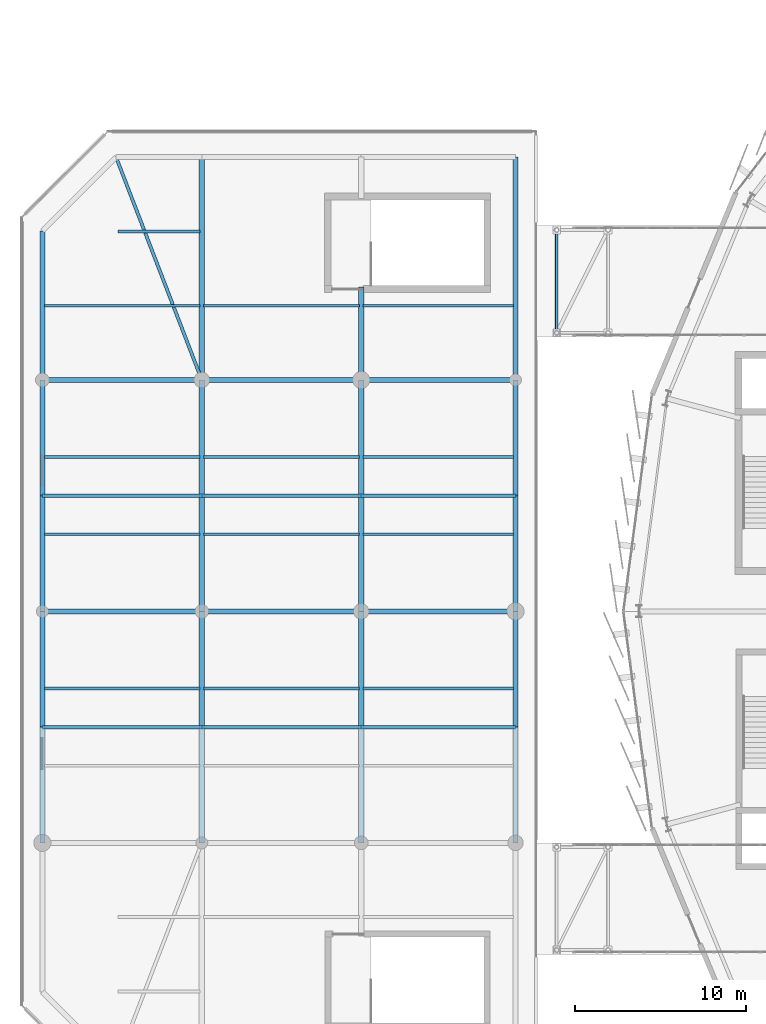
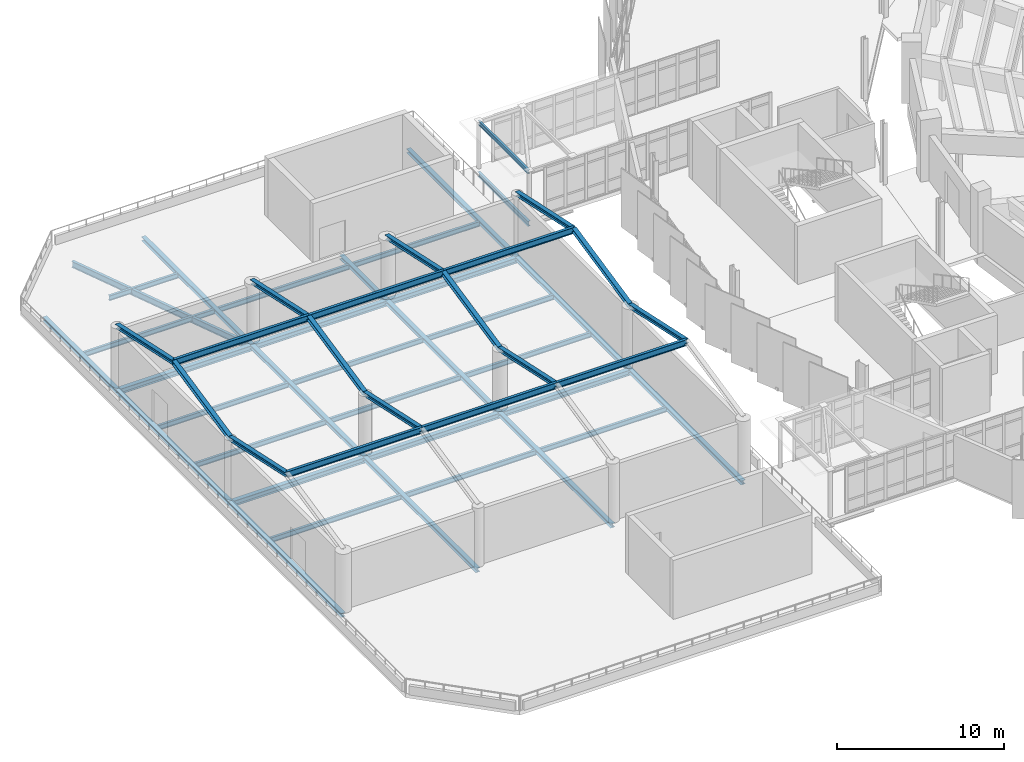
# One storey, part 40 of 120: 52 beams.
"""IFC4 building model written with IfcOpenShell, lengths in metres."""

from ifc_helpers import new_model, si_unit, direction, frame, origin, origin_2d, place, context, subcontext, project, spatial, i_section, extrude, material, material_profile, profile_set, type_object, element, save


model = new_model("IFC4")

# Units and contexts
model_context = context("Model", 3, precision=1e-05, world=origin(), true_north=direction((0.0, 1.0)))
body_context = subcontext(model_context, "Body", "Model", "MODEL_VIEW")
ifc_project = project(units=[si_unit("LENGTHUNIT", "METRE"), si_unit("AREAUNIT", "SQUARE_METRE"), si_unit("VOLUMEUNIT", "CUBIC_METRE"), si_unit("PLANEANGLEUNIT", "RADIAN"), si_unit("MASSUNIT", "GRAM", prefix="KILO")], contexts=[model_context])

# Site, building, storey
site_placement = place(None, origin())
site = spatial("IfcSite", under=ifc_project, at=site_placement, CompositionType="ELEMENT")
building_placement = place(site_placement, origin())
building = spatial("IfcBuilding", under=site, at=building_placement, Name="Sohan Crest Arena", CompositionType="ELEMENT")
storey_placement = place(building_placement, frame((0.0, 0.0, 13.5)))
storey = spatial("IfcBuildingStorey", under=building, at=storey_placement, Name="L03", CompositionType="ELEMENT", Elevation=13.5)

# Beams
ifc_material = material(Name="Steel S355", Category="steel")
ifc_material_profile_1 = material_profile(ifc_material, i_section(OverallWidth=0.14990234375, OverallDepth=0.300048828125, WebThickness=0.007080078125, FlangeThickness=0.0107421875, at=origin_2d()), Name="IPE 300")
ifc_profile_set_1 = profile_set([ifc_material_profile_1], Name="Steel S355")
beam_type_1 = type_object("IfcBeamType", Name="STR-BM-B01", PredefinedType="JOIST", material=ifc_profile_set_1)
beam_1_placement = place(storey_placement, frame((45.199951171875, 94.25, 3.324951171875), z_axis=(0.0, 1.0, 0.0), x_axis=(-1.0, 0.0, 0.0)))
element("IfcBeam", 1, at=beam_1_placement, inside=storey, type_object=beam_type_1, Name="Structural beam BRG-L03-2958", PredefinedType="JOIST", context=body_context, shape_type="SweptSolid", body=[
    extrude(i_section(OverallWidth=0.14990234375, OverallDepth=0.300048828125, WebThickness=0.007080078125, FlangeThickness=0.0107421875, at=origin_2d()), origin(), (0.0, 0.0, 1.0), 6.0),
])
ifc_material_profile_2 = material_profile(ifc_material, i_section(OverallWidth=0.169921875, OverallDepth=0.360107421875, WebThickness=0.008056640625, FlangeThickness=0.0126953125, at=origin_2d()), Name="IPE 360")
ifc_profile_set_2 = profile_set([ifc_material_profile_2], Name="Steel S355")
beam_type_2 = type_object("IfcBeamType", Name="STR-BM-B02", PredefinedType="JOIST", material=ifc_profile_set_2)
for number, where, z_axis, x_axis, name in (
    (2, (15.31005859375, 73.5, -0.4951171875), (1.0, 0.0, 0.0), (0.0, 1.0, 0.0), "Structural beam J-L03-2116"),
    (3, (24.610107421875, 73.5, -0.4951171875), (1.0, 0.0, 0.0), (0.0, 1.0, 0.0), "Structural beam J-L03-2119"),
):
    element("IfcBeam", number, at=place(storey_placement, frame(where, z_axis=z_axis, x_axis=x_axis)), inside=storey, type_object=beam_type_2, Name=name, PredefinedType="JOIST", context=body_context, shape_type="SweptSolid", body=[
        extrude(i_section(OverallWidth=0.169921875, OverallDepth=0.360107421875, WebThickness=0.008056640625, FlangeThickness=0.0126953125, at=origin_2d()), origin(), (0.0, 0.0, 1.0), 9.079833984375),
    ])
beam_2_placement = place(storey_placement, frame((33.909912109375, 73.5, -0.4951171875), z_axis=(1.0, 0.0, 0.0), x_axis=(0.0, 1.0, 0.0)))
element("IfcBeam", 4, at=beam_2_placement, inside=storey, type_object=beam_type_2, Name="Structural beam J-L03-2122", PredefinedType="JOIST", context=body_context, shape_type="SweptSolid", body=[
    extrude(i_section(OverallWidth=0.169921875, OverallDepth=0.360107421875, WebThickness=0.008056640625, FlangeThickness=0.0126953125, at=origin_2d()), origin(), (0.0, 0.0, 1.0), 8.780029296875),
])
for number, where, z_axis, x_axis, name in (
    (5, (15.31005859375, 82.5, -0.4951171875), (1.0, 0.0, 0.0), (0.0, 1.0, 0.0), "Structural beam J-L03-2124"),
    (6, (15.31005859375, 87.0, -0.4951171875), (1.0, 0.0, 0.0), (0.0, 1.0, 0.0), "Structural beam J-L03-2125"),
    (7, (24.610107421875, 82.5, -0.4951171875), (1.0, 0.0, 0.0), (0.0, 1.0, 0.0), "Structural beam J-L03-2127"),
    (8, (24.610107421875, 87.0, -0.4951171875), (1.0, 0.0, 0.0), (0.0, 1.0, 0.0), "Structural beam J-L03-2128"),
):
    element("IfcBeam", number, at=place(storey_placement, frame(where, z_axis=z_axis, x_axis=x_axis)), inside=storey, type_object=beam_type_2, Name=name, PredefinedType="JOIST", context=body_context, shape_type="SweptSolid", body=[
        extrude(i_section(OverallWidth=0.169921875, OverallDepth=0.360107421875, WebThickness=0.008056640625, FlangeThickness=0.0126953125, at=origin_2d()), origin(), (0.0, 0.0, 1.0), 9.079833984375),
    ])
for number, where, z_axis, x_axis, name in (
    (9, (33.909912109375, 82.5, -0.4951171875), (1.0, 0.0, 0.0), (0.0, 1.0, 0.0), "Structural beam J-L03-2130"),
    (10, (33.909912109375, 87.0, -0.4951171875), (1.0, 0.0, 0.0), (0.0, 1.0, 0.0), "Structural beam J-L03-2131"),
):
    element("IfcBeam", number, at=place(storey_placement, frame(where, z_axis=z_axis, x_axis=x_axis)), inside=storey, type_object=beam_type_2, Name=name, PredefinedType="JOIST", context=body_context, shape_type="SweptSolid", body=[
        extrude(i_section(OverallWidth=0.169921875, OverallDepth=0.360107421875, WebThickness=0.008056640625, FlangeThickness=0.0126953125, at=origin_2d()), origin(), (0.0, 0.0, 1.0), 8.780029296875),
    ])
beam_3_placement = place(storey_placement, frame((15.31005859375, 95.8330078125, -0.4951171875), z_axis=(1.0, 0.0, 0.0), x_axis=(0.0, 1.0, 0.0)))
element("IfcBeam", 11, at=beam_3_placement, inside=storey, type_object=beam_type_2, Name="Structural beam J-L03-2133", PredefinedType="JOIST", context=body_context, shape_type="SweptSolid", body=[
    extrude(i_section(OverallWidth=0.169921875, OverallDepth=0.360107421875, WebThickness=0.008056640625, FlangeThickness=0.0126953125, at=origin_2d()), origin(), (0.0, 0.0, 1.0), 9.079833984375),
])
beam_4_placement = place(storey_placement, frame((19.610107421875, 100.1669921875, -0.4951171875), z_axis=(1.0, 0.0, 0.0), x_axis=(0.0, 1.0, 0.0)))
element("IfcBeam", 12, at=beam_4_placement, inside=storey, type_object=beam_type_2, Name="Structural beam J-L03-2134", PredefinedType="JOIST", context=body_context, shape_type="SweptSolid", body=[
    extrude(i_section(OverallWidth=0.169921875, OverallDepth=0.360107421875, WebThickness=0.008056640625, FlangeThickness=0.0126953125, at=origin_2d()), origin(), (0.0, 0.0, 1.0), 4.77978515625),
])
beam_5_placement = place(storey_placement, frame((24.610107421875, 95.8330078125, -0.4951171875), z_axis=(1.0, 0.0, 0.0), x_axis=(0.0, 1.0, 0.0)))
element("IfcBeam", 13, at=beam_5_placement, inside=storey, type_object=beam_type_2, Name="Structural beam J-L03-2136", PredefinedType="JOIST", context=body_context, shape_type="SweptSolid", body=[
    extrude(i_section(OverallWidth=0.169921875, OverallDepth=0.360107421875, WebThickness=0.008056640625, FlangeThickness=0.0126953125, at=origin_2d()), origin(), (0.0, 0.0, 1.0), 9.079833984375),
])
beam_6_placement = place(storey_placement, frame((33.909912109375, 95.8330078125, -0.4951171875), z_axis=(1.0, 0.0, 0.0), x_axis=(0.0, 1.0, 0.0)))
element("IfcBeam", 14, at=beam_6_placement, inside=storey, type_object=beam_type_2, Name="Structural beam J-L03-2138", PredefinedType="JOIST", context=body_context, shape_type="SweptSolid", body=[
    extrude(i_section(OverallWidth=0.169921875, OverallDepth=0.360107421875, WebThickness=0.008056640625, FlangeThickness=0.0126953125, at=origin_2d()), origin(), (0.0, 0.0, 1.0), 8.780029296875),
])
beam_7_placement = place(storey_placement, frame((45.199951171875, 94.25, -0.455078125), z_axis=(0.0, 1.0, 0.0), x_axis=(-1.0, 0.0, 0.0)))
element("IfcBeam", 15, at=beam_7_placement, inside=storey, type_object=beam_type_2, Name="Structural beam BG-L03-2954", PredefinedType="JOIST", context=body_context, shape_type="SweptSolid", body=[
    extrude(i_section(OverallWidth=0.169921875, OverallDepth=0.360107421875, WebThickness=0.008056640625, FlangeThickness=0.0126953125, at=origin_2d()), origin(), (0.0, 0.0, 1.0), 6.0),
])
ifc_material_profile_3 = material_profile(ifc_material, i_section(OverallWidth=0.18994140625, OverallDepth=0.449951171875, WebThickness=0.009521484375, FlangeThickness=0.0146484375, at=origin_2d()), Name="IPE 450")
ifc_profile_set_3 = profile_set([ifc_material_profile_3], Name="Steel S355")
beam_type_3 = type_object("IfcBeamType", Name="STR-BM-B04", PredefinedType="JOIST", material=ifc_profile_set_3)
beam_8_placement = place(storey_placement, frame((19.5390625, 104.39697265625, -0.5400390625), z_axis=(0.359050685685, -0.933318062136, 0.0), x_axis=(0.933318062136, 0.359050685685, 0.0)))
element("IfcBeam", 16, at=beam_8_placement, inside=storey, type_object=beam_type_3, Name="Structural beam J-L03-2145", PredefinedType="JOIST", context=body_context, shape_type="SweptSolid", body=[
    extrude(i_section(OverallWidth=0.18994140625, OverallDepth=0.449951171875, WebThickness=0.009521484375, FlangeThickness=0.0146484375, at=origin_2d()), origin(), (0.0, 0.0, 1.0), 13.7080078125),
])
for number, where, z_axis, x_axis, name in (
    (17, (15.199951171875, 71.25, 5.719970703125), (1.0, 0.0, 0.0), (0.0, 1.0, 0.0), "Structural beam PVP-L03-2169"),
    (18, (24.5, 71.25, 5.719970703125), (1.0, 0.0, 0.0), (0.0, 1.0, 0.0), "Structural beam PVP-L03-2170"),
):
    element("IfcBeam", number, at=place(storey_placement, frame(where, z_axis=z_axis, x_axis=x_axis)), inside=storey, type_object=beam_type_3, Name=name, PredefinedType="JOIST", context=body_context, shape_type="SweptSolid", body=[
        extrude(i_section(OverallWidth=0.18994140625, OverallDepth=0.449951171875, WebThickness=0.009521484375, FlangeThickness=0.0146484375, at=origin_2d()), origin(), (0.0, 0.0, 1.0), 9.300048828125),
    ])
beam_9_placement = place(storey_placement, frame((33.800048828125, 71.25, 5.719970703125), z_axis=(1.0, 0.0, 0.0), x_axis=(0.0, 1.0, 0.0)))
element("IfcBeam", 19, at=beam_9_placement, inside=storey, type_object=beam_type_3, Name="Structural beam PVP-L03-2171", PredefinedType="JOIST", context=body_context, shape_type="SweptSolid", body=[
    extrude(i_section(OverallWidth=0.18994140625, OverallDepth=0.449951171875, WebThickness=0.009521484375, FlangeThickness=0.0146484375, at=origin_2d()), origin(), (0.0, 0.0, 1.0), 9.0),
])
for number, where, z_axis, x_axis, name in (
    (20, (15.199951171875, 84.75, 5.719970703125), (1.0, 0.0, 0.0), (0.0, 1.0, 0.0), "Structural beam PVP-L03-2180"),
    (21, (24.5, 84.75, 5.719970703125), (1.0, 0.0, 0.0), (0.0, 1.0, 0.0), "Structural beam PVP-L03-2181"),
):
    element("IfcBeam", number, at=place(storey_placement, frame(where, z_axis=z_axis, x_axis=x_axis)), inside=storey, type_object=beam_type_3, Name=name, PredefinedType="JOIST", context=body_context, shape_type="SweptSolid", body=[
        extrude(i_section(OverallWidth=0.18994140625, OverallDepth=0.449951171875, WebThickness=0.009521484375, FlangeThickness=0.0146484375, at=origin_2d()), origin(), (0.0, 0.0, 1.0), 9.300048828125),
    ])
beam_10_placement = place(storey_placement, frame((33.800048828125, 84.75, 5.719970703125), z_axis=(1.0, 0.0, 0.0), x_axis=(0.0, 1.0, 0.0)))
element("IfcBeam", 22, at=beam_10_placement, inside=storey, type_object=beam_type_3, Name="Structural beam PVP-L03-2182", PredefinedType="JOIST", context=body_context, shape_type="SweptSolid", body=[
    extrude(i_section(OverallWidth=0.18994140625, OverallDepth=0.449951171875, WebThickness=0.009521484375, FlangeThickness=0.0146484375, at=origin_2d()), origin(), (0.0, 0.0, 1.0), 9.0),
])
ifc_material_profile_4 = material_profile(ifc_material, i_section(OverallWidth=0.300048828125, OverallDepth=0.2900390625, WebThickness=0.008544921875, FlangeThickness=0.013916015625, at=origin_2d()), Name="HEA 300")
ifc_profile_set_4 = profile_set([ifc_material_profile_4], Name="Steel S355")
beam_type_4 = type_object("IfcBeamType", Name="STR-BM-B08", PredefinedType="BEAM", material=ifc_profile_set_4)
for number, where, z_axis, x_axis, name in (
    (23, (15.199951171875, 64.5, -0.4599609375), (0.0, 1.0, 0.0), (-1.0, 0.0, 0.0), "Structural beam G-L03-2090"),
    (24, (15.199951171875, 78.0, -0.4599609375), (0.0, 1.0, 0.0), (-1.0, 0.0, 0.0), "Structural beam G-L03-2091"),
):
    element("IfcBeam", number, at=place(storey_placement, frame(where, z_axis=z_axis, x_axis=x_axis)), inside=storey, type_object=beam_type_4, Name=name, PredefinedType="BEAM", context=body_context, shape_type="SweptSolid", body=[
        extrude(i_section(OverallWidth=0.300048828125, OverallDepth=0.2900390625, WebThickness=0.008544921875, FlangeThickness=0.013916015625, at=origin_2d()), origin(), (0.0, 0.0, 1.0), 13.5),
    ])
beam_11_placement = place(storey_placement, frame((15.199951171875, 91.5, -0.4599609375), z_axis=(0.0, 1.0, 0.0), x_axis=(-1.0, 0.0, 0.0)))
element("IfcBeam", 25, at=beam_11_placement, inside=storey, type_object=beam_type_4, Name="Structural beam G-L03-2092", PredefinedType="BEAM", context=body_context, shape_type="SweptSolid", body=[
    extrude(i_section(OverallWidth=0.300048828125, OverallDepth=0.2900390625, WebThickness=0.008544921875, FlangeThickness=0.013916015625, at=origin_2d()), origin(), (0.0, 0.0, 1.0), 8.699951171875),
])
for number, where, z_axis, x_axis, name in (
    (26, (24.5, 64.5, -0.4599609375), (0.0, 1.0, 0.0), (-1.0, 0.0, 0.0), "Structural beam G-L03-2094"),
    (27, (24.5, 78.0, -0.4599609375), (0.0, 1.0, 0.0), (-1.0, 0.0, 0.0), "Structural beam G-L03-2095"),
):
    element("IfcBeam", number, at=place(storey_placement, frame(where, z_axis=z_axis, x_axis=x_axis)), inside=storey, type_object=beam_type_4, Name=name, PredefinedType="BEAM", context=body_context, shape_type="SweptSolid", body=[
        extrude(i_section(OverallWidth=0.300048828125, OverallDepth=0.2900390625, WebThickness=0.008544921875, FlangeThickness=0.013916015625, at=origin_2d()), origin(), (0.0, 0.0, 1.0), 13.5),
    ])
beam_12_placement = place(storey_placement, frame((24.5, 91.5, -0.4599609375), z_axis=(0.0, 1.0, 0.0), x_axis=(-1.0, 0.0, 0.0)))
element("IfcBeam", 28, at=beam_12_placement, inside=storey, type_object=beam_type_4, Name="Structural beam G-L03-2096", PredefinedType="BEAM", context=body_context, shape_type="SweptSolid", body=[
    extrude(i_section(OverallWidth=0.300048828125, OverallDepth=0.2900390625, WebThickness=0.008544921875, FlangeThickness=0.013916015625, at=origin_2d()), origin(), (0.0, 0.0, 1.0), 13.0),
])
for number, where, z_axis, x_axis, name in (
    (29, (33.800048828125, 64.5, -0.4599609375), (0.0, 1.0, 0.0), (-1.0, 0.0, 0.0), "Structural beam G-L03-2099"),
    (30, (33.800048828125, 78.0, -0.4599609375), (0.0, 1.0, 0.0), (-1.0, 0.0, 0.0), "Structural beam G-L03-2100"),
):
    element("IfcBeam", number, at=place(storey_placement, frame(where, z_axis=z_axis, x_axis=x_axis)), inside=storey, type_object=beam_type_4, Name=name, PredefinedType="BEAM", context=body_context, shape_type="SweptSolid", body=[
        extrude(i_section(OverallWidth=0.300048828125, OverallDepth=0.2900390625, WebThickness=0.008544921875, FlangeThickness=0.013916015625, at=origin_2d()), origin(), (0.0, 0.0, 1.0), 13.5),
    ])
beam_13_placement = place(storey_placement, frame((33.800048828125, 91.5, -0.4599609375), z_axis=(0.0, 1.0, 0.0), x_axis=(-1.0, 0.0, 0.0)))
element("IfcBeam", 31, at=beam_13_placement, inside=storey, type_object=beam_type_4, Name="Structural beam G-L03-2101", PredefinedType="BEAM", context=body_context, shape_type="SweptSolid", body=[
    extrude(i_section(OverallWidth=0.300048828125, OverallDepth=0.2900390625, WebThickness=0.008544921875, FlangeThickness=0.013916015625, at=origin_2d()), origin(), (0.0, 0.0, 1.0), 5.419921875),
])
for number, where, z_axis, x_axis, name in (
    (32, (42.800048828125, 64.5, -0.4599609375), (0.0, 1.0, 0.0), (-1.0, 0.0, 0.0), "Structural beam G-L03-2104"),
    (33, (42.800048828125, 78.0, -0.4599609375), (0.0, 1.0, 0.0), (-1.0, 0.0, 0.0), "Structural beam G-L03-2105"),
):
    element("IfcBeam", number, at=place(storey_placement, frame(where, z_axis=z_axis, x_axis=x_axis)), inside=storey, type_object=beam_type_4, Name=name, PredefinedType="BEAM", context=body_context, shape_type="SweptSolid", body=[
        extrude(i_section(OverallWidth=0.300048828125, OverallDepth=0.2900390625, WebThickness=0.008544921875, FlangeThickness=0.013916015625, at=origin_2d()), origin(), (0.0, 0.0, 1.0), 13.5),
    ])
beam_14_placement = place(storey_placement, frame((42.800048828125, 91.5, -0.4599609375), z_axis=(0.0, 1.0, 0.0), x_axis=(-1.0, 0.0, 0.0)))
element("IfcBeam", 34, at=beam_14_placement, inside=storey, type_object=beam_type_4, Name="Structural beam G-L03-2106", PredefinedType="BEAM", context=body_context, shape_type="SweptSolid", body=[
    extrude(i_section(OverallWidth=0.300048828125, OverallDepth=0.2900390625, WebThickness=0.008544921875, FlangeThickness=0.013916015625, at=origin_2d()), origin(), (0.0, 0.0, 1.0), 13.0),
])
for number, where, z_axis, x_axis, name in (
    (35, (15.199951171875, 71.25, 5.739990234375), (0.0, 0.977399163863, -0.211402162902), (-1.0, 0.0, 0.0), "Structural beam PVA-L03-2162"),
    (36, (24.5, 71.25, 5.739990234375), (0.0, 0.977399163863, -0.211402162902), (-1.0, 0.0, 0.0), "Structural beam PVA-L03-2164"),
    (37, (33.800048828125, 71.25, 5.739990234375), (0.0, 0.977399163863, -0.211402162902), (-1.0, 0.0, 0.0), "Structural beam PVA-L03-2166"),
    (38, (42.800048828125, 71.25, 5.739990234375), (0.0, 0.977399163863, -0.211402162902), (-1.0, 0.0, 0.0), "Structural beam PVA-L03-2168"),
    (39, (15.199951171875, 78.0, 4.280029296875), (0.0, 0.977399163863, 0.211402162902), (-1.0, 0.0, 0.0), "Structural beam PVA-L03-2172"),
    (40, (15.199951171875, 84.75, 5.739990234375), (0.0, 0.977399163863, -0.211402162902), (-1.0, 0.0, 0.0), "Structural beam PVA-L03-2173"),
    (41, (24.5, 78.0, 4.280029296875), (0.0, 0.977399163863, 0.211402162902), (-1.0, 0.0, 0.0), "Structural beam PVA-L03-2174"),
    (42, (24.5, 84.75, 5.739990234375), (0.0, 0.977399163863, -0.211402162902), (-1.0, 0.0, 0.0), "Structural beam PVA-L03-2175"),
    (43, (33.800048828125, 78.0, 4.280029296875), (0.0, 0.977399163863, 0.211402162902), (-1.0, 0.0, 0.0), "Structural beam PVA-L03-2176"),
    (44, (33.800048828125, 84.75, 5.739990234375), (0.0, 0.977399163863, -0.211402162902), (-1.0, 0.0, 0.0), "Structural beam PVA-L03-2177"),
    (45, (42.800048828125, 78.0, 4.280029296875), (0.0, 0.977399163863, 0.211402162902), (-1.0, 0.0, 0.0), "Structural beam PVA-L03-2178"),
    (46, (42.800048828125, 84.75, 5.739990234375), (0.0, 0.977399163863, -0.211402162902), (-1.0, 0.0, 0.0), "Structural beam PVA-L03-2179"),
):
    element("IfcBeam", number, at=place(storey_placement, frame(where, z_axis=z_axis, x_axis=x_axis)), inside=storey, type_object=beam_type_4, Name=name, PredefinedType="BEAM", context=body_context, shape_type="SweptSolid", body=[
        extrude(i_section(OverallWidth=0.300048828125, OverallDepth=0.2900390625, WebThickness=0.008544921875, FlangeThickness=0.013916015625, at=origin_2d()), origin(), (0.0, 0.0, 1.0), 6.906005859375),
    ])
ifc_material_profile_5 = material_profile(ifc_material, i_section(OverallWidth=0.300048828125, OverallDepth=0.389892578125, WebThickness=0.010986328125, FlangeThickness=0.01904296875, at=origin_2d()), Name="HEA 400")
ifc_profile_set_5 = profile_set([ifc_material_profile_5], Name="Steel S355")
beam_type_5 = type_object("IfcBeamType", Name="STR-BM-B09", PredefinedType="BEAM", material=ifc_profile_set_5)
for number, where, z_axis, x_axis, name in (
    (47, (15.199951171875, 78.0, -0.510009765625), (1.0, 0.0, 0.0), (0.0, 1.0, 0.0), "Structural beam G-L03-2123"),
    (48, (24.5, 78.0, -0.510009765625), (1.0, 0.0, 0.0), (0.0, 1.0, 0.0), "Structural beam G-L03-2126"),
):
    element("IfcBeam", number, at=place(storey_placement, frame(where, z_axis=z_axis, x_axis=x_axis)), inside=storey, type_object=beam_type_5, Name=name, PredefinedType="BEAM", context=body_context, shape_type="SweptSolid", body=[
        extrude(i_section(OverallWidth=0.300048828125, OverallDepth=0.389892578125, WebThickness=0.010986328125, FlangeThickness=0.01904296875, at=origin_2d()), origin(), (0.0, 0.0, 1.0), 9.300048828125),
    ])
beam_15_placement = place(storey_placement, frame((33.800048828125, 78.0, -0.510009765625), z_axis=(1.0, 0.0, 0.0), x_axis=(0.0, 1.0, 0.0)))
element("IfcBeam", 49, at=beam_15_placement, inside=storey, type_object=beam_type_5, Name="Structural beam G-L03-2129", PredefinedType="BEAM", context=body_context, shape_type="SweptSolid", body=[
    extrude(i_section(OverallWidth=0.300048828125, OverallDepth=0.389892578125, WebThickness=0.010986328125, FlangeThickness=0.01904296875, at=origin_2d()), origin(), (0.0, 0.0, 1.0), 9.0),
])
for number, where, z_axis, x_axis, name in (
    (50, (15.199951171875, 91.5, -0.510009765625), (1.0, 0.0, 0.0), (0.0, 1.0, 0.0), "Structural beam G-L03-2132"),
    (51, (24.5, 91.5, -0.510009765625), (1.0, 0.0, 0.0), (0.0, 1.0, 0.0), "Structural beam G-L03-2135"),
):
    element("IfcBeam", number, at=place(storey_placement, frame(where, z_axis=z_axis, x_axis=x_axis)), inside=storey, type_object=beam_type_5, Name=name, PredefinedType="BEAM", context=body_context, shape_type="SweptSolid", body=[
        extrude(i_section(OverallWidth=0.300048828125, OverallDepth=0.389892578125, WebThickness=0.010986328125, FlangeThickness=0.01904296875, at=origin_2d()), origin(), (0.0, 0.0, 1.0), 9.300048828125),
    ])
beam_16_placement = place(storey_placement, frame((33.800048828125, 91.5, -0.510009765625), z_axis=(1.0, 0.0, 0.0), x_axis=(0.0, 1.0, 0.0)))
element("IfcBeam", 52, at=beam_16_placement, inside=storey, type_object=beam_type_5, Name="Structural beam G-L03-2137", PredefinedType="BEAM", context=body_context, shape_type="SweptSolid", body=[
    extrude(i_section(OverallWidth=0.300048828125, OverallDepth=0.389892578125, WebThickness=0.010986328125, FlangeThickness=0.01904296875, at=origin_2d()), origin(), (0.0, 0.0, 1.0), 9.0),
])

save(model, "model.ifc")
